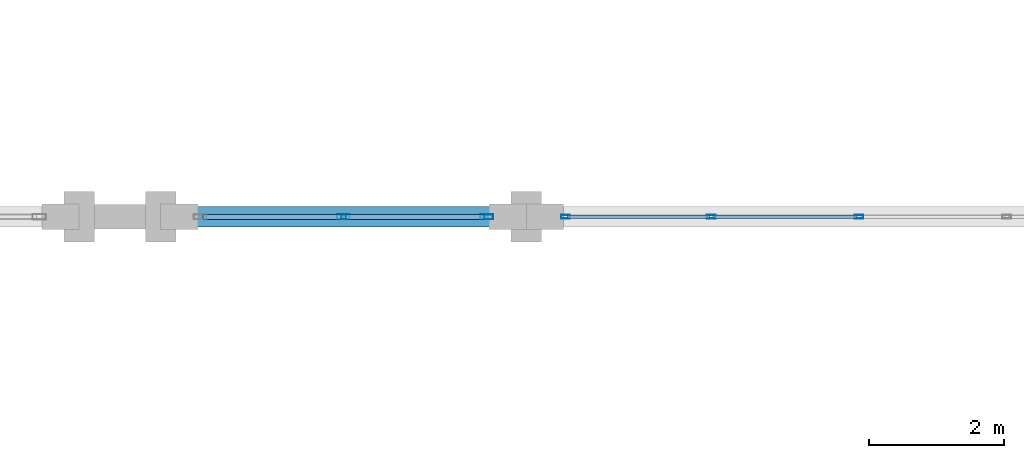
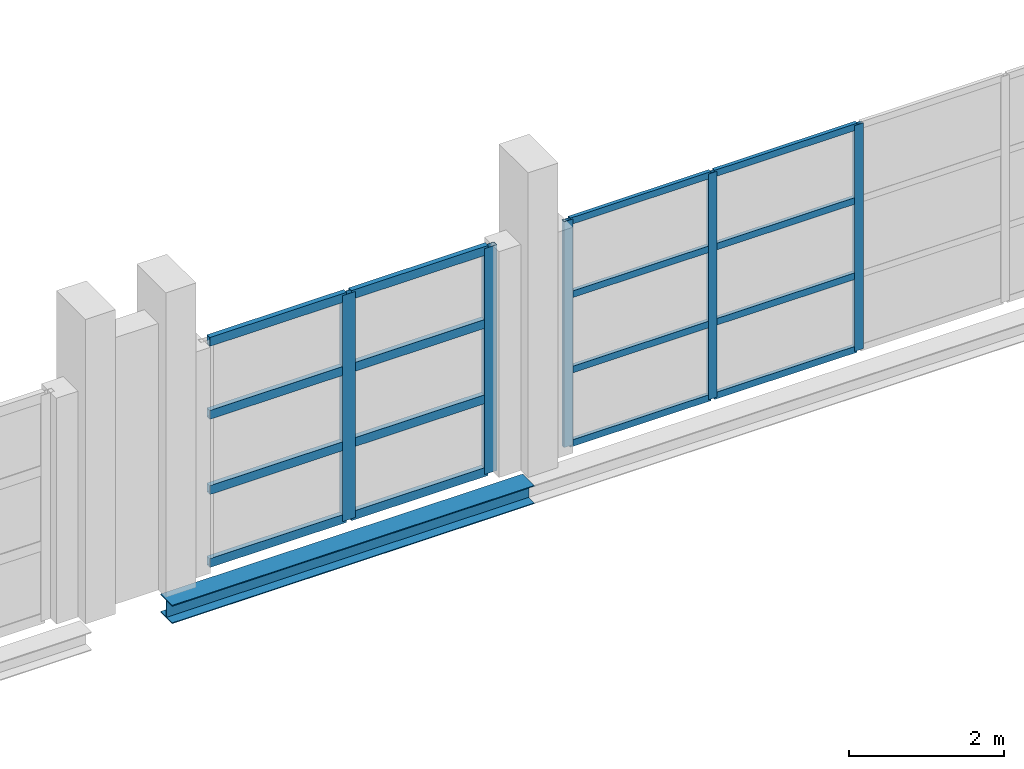
# One storey, part 76 of 147: 21 members, 1 beam, 2 elements without a shape of their own.
"""IFC4 building model written with IfcOpenShell, lengths in metres."""

import ifcopenshell
import ifcopenshell.guid

model = None  # the IFC model being written
_history = None  # IfcOwnerHistory: only IFC2X3 demands one
_inside = {}  # id of a spatial element -> (the spatial element, [elements in it])
_under = {}  # id of a project, library or spatial element -> (it, [spatial elements below it])
_declared = {}  # id of a project -> (the project, [libraries it declares])
_typed = {}  # id of a type object -> (the type object, [elements of that type])
_made_of = {}  # id of a material, layer set ... -> (it, [elements and type objects made of it])


def new_model(schema):
    """Start an empty IFC model of exactly this schema.

    Asked for "IFC4X3", IfcOpenShell would pick the latest addendum, in which some entities
    have other attributes; the version numbers below select the first issue.
    IFC2X3 requires an IfcOwnerHistory on every rooted entity: one is made here for all.
    """
    global model, _history
    if schema == "IFC4X3":
        model = ifcopenshell.file(schema_version=(4, 3, 0, 0))
    else:
        model = ifcopenshell.file(schema=schema)
    _inside.clear()
    _under.clear()
    _declared.clear()
    _typed.clear()
    _made_of.clear()
    _history = None
    if model.schema == "IFC2X3":
        org = make("IfcOrganization", Name="unknown")
        user = make(
            "IfcPersonAndOrganization",
            ThePerson=make("IfcPerson", FamilyName="unknown"),
            TheOrganization=org,
        )
        app = make(
            "IfcApplication",
            ApplicationDeveloper=org,
            Version="unknown",
            ApplicationFullName="unknown",
            ApplicationIdentifier="unknown",
        )
        _history = make(
            "IfcOwnerHistory",
            OwningUser=user,
            OwningApplication=app,
            ChangeAction="ADDED",
            CreationDate=0,
        )
    return model


def make(cls, **values):
    """One entity of the class cls with the attributes given. An attribute that is None is left unset."""
    return model.create_entity(
        cls, **{name: value for name, value in values.items() if value is not None}
    )


def rooted(cls, **values):
    """An entity with a GlobalId (a new one), such as an element, a storey or a relation."""
    return make(cls, GlobalId=ifcopenshell.guid.new(), OwnerHistory=_history, **values)


def si_unit(unit_type, name, prefix=None):
    """IfcSIUnit, for example si_unit("LENGTHUNIT", "METRE", prefix="MILLI")."""
    return make("IfcSIUnit", UnitType=unit_type, Prefix=prefix, Name=name)


def assignment(units):
    """IfcUnitAssignment: the units of a project."""
    return None if units is None else make("IfcUnitAssignment", Units=units)


def point(xyz):
    """IfcCartesianPoint."""
    return None if xyz is None else make("IfcCartesianPoint", Coordinates=xyz)


def direction(xyz):
    """IfcDirection."""
    return None if xyz is None else make("IfcDirection", DirectionRatios=xyz)


def frame(location, z_axis=None, x_axis=None):
    """IfcAxis2Placement3D, a coordinate frame: its origin and axes. An axis left out is left unset."""
    return make(
        "IfcAxis2Placement3D",
        Location=point(location),
        Axis=direction(z_axis),
        RefDirection=direction(x_axis),
    )


def frame_2d(location, x_axis=None):
    """IfcAxis2Placement2D, a coordinate frame in the plane: its origin and x axis."""
    return make(
        "IfcAxis2Placement2D", Location=point(location), RefDirection=direction(x_axis)
    )


def origin():
    """The frame at (0, 0, 0) with its axes left unset."""
    return frame((0.0, 0.0, 0.0))


def origin_2d():
    """The frame at (0, 0) in the plane with its x axis left unset."""
    return frame_2d((0.0, 0.0))


def place(relative_to, where):
    """IfcLocalPlacement: puts the frame where relative to a parent placement (None: the world)."""
    return make(
        "IfcLocalPlacement", PlacementRelTo=relative_to, RelativePlacement=where
    )


def context(
    kind, dimensions, precision=None, world=None, true_north=None, identifier=None
):
    """IfcGeometricRepresentationContext, for example the 3D "Model" context."""
    return make(
        "IfcGeometricRepresentationContext",
        ContextIdentifier=identifier,
        ContextType=kind,
        CoordinateSpaceDimension=dimensions,
        Precision=precision,
        WorldCoordinateSystem=world,
        TrueNorth=true_north,
    )


def subcontext(parent, identifier, kind, view, scale=None):
    """IfcGeometricRepresentationSubContext, for example "Body" below "Model"."""
    return make(
        "IfcGeometricRepresentationSubContext",
        ContextIdentifier=identifier,
        ContextType=kind,
        ParentContext=parent,
        TargetScale=scale,
        TargetView=view,
    )


def project(units=None, contexts=None):
    """IfcProject with its units and contexts."""
    return rooted(
        "IfcProject",
        Name="project",
        RepresentationContexts=contexts,
        UnitsInContext=assignment(units),
    )


def spatial(cls, under=None, at=None, **own):
    """A site, building, storey or space (cls), placed at a placement, below another one or the project."""
    s = rooted(cls, ObjectPlacement=at, **own)
    if under is not None:
        _under.setdefault(under.id(), (under, []))[1].append(s)
    return s


def profile(cls, at=None, kind="AREA", **sizes):
    """A parametric profile (cls). Its sizes go by their IFC names, for example OverallWidth=200.0."""
    return make(cls, ProfileType=kind, Position=at, **sizes)


def hollow_rectangle(**sizes):
    """IfcRectangleHollowProfileDef."""
    return profile("IfcRectangleHollowProfileDef", **sizes)


def i_section(**sizes):
    """IfcIShapeProfileDef."""
    return profile("IfcIShapeProfileDef", **sizes)


def extrude(swept, where, along, depth):
    """IfcExtrudedAreaSolid: the profile swept, set in the frame where, extruded along a direction by depth."""
    return make(
        "IfcExtrudedAreaSolid",
        SweptArea=swept,
        Position=where,
        ExtrudedDirection=direction(along),
        Depth=depth,
    )


def shape(context_of_items, identifier, shape_type, items):
    """IfcShapeRepresentation: the items that make up one representation, for example the "Body"."""
    return make(
        "IfcShapeRepresentation",
        ContextOfItems=context_of_items,
        RepresentationIdentifier=identifier,
        RepresentationType=shape_type,
        Items=items,
    )


def material(Name=None, Category=None):
    """IfcMaterial."""
    return make("IfcMaterial", Name=Name, Category=Category)


def layer(
    of_material, thickness, ventilated=None, Name=None, Category=None, Priority=None
):
    """IfcMaterialLayer: one layer of a wall or slab, of a material (None: an air gap)."""
    return make(
        "IfcMaterialLayer",
        Material=of_material,
        LayerThickness=thickness,
        IsVentilated=ventilated,
        Name=Name,
        Category=Category,
        Priority=Priority,
    )


def layer_set(layers, Name=None):
    """IfcMaterialLayerSet."""
    return make("IfcMaterialLayerSet", MaterialLayers=layers, LayerSetName=Name)


def material_profile(
    of_material, cross_section, Name=None, Category=None, Priority=None
):
    """IfcMaterialProfile: a cross section and its material."""
    return make(
        "IfcMaterialProfile",
        Name=Name,
        Material=of_material,
        Profile=cross_section,
        Priority=Priority,
        Category=Category,
    )


def profile_set(profiles, Name=None, composite=None):
    """IfcMaterialProfileSet."""
    return make(
        "IfcMaterialProfileSet",
        Name=Name,
        MaterialProfiles=profiles,
        CompositeProfile=composite,
    )


def made_of(thing, what):
    """Note that an element or type object is made of a material, layer set ...; save() writes the relation."""
    if what is not None:
        _made_of.setdefault(what.id(), (what, []))[1].append(thing)
    return thing


def type_object(cls, material=None, **own):
    """A type object (cls), such as IfcWallType, which elements share."""
    return made_of(rooted(cls, **own), material)


def element(
    cls,
    number,
    at=None,
    inside=None,
    cuts=None,
    type_object=None,
    material=None,
    context=None,
    identifier="Body",
    shape_type=None,
    held_by="IfcProductDefinitionShape",
    body=None,
    shapes=None,
    **own,
):
    """One element of the class cls, such as IfcWall. Its Tag is "e" and its number.

    at: its placement. inside: the storey or other place that contains it. cuts: it is an
    opening in that element (IfcRelVoidsElement). A single representation is given by context,
    identifier, shape_type and body (its items); several are given by shapes. held_by: the class
    of the entity that holds the representations. save() writes the other relations.
    """
    e = rooted(cls, Tag="e%d" % number, ObjectPlacement=at, **own)
    if body is not None:
        shapes = [shape(context, identifier, shape_type, body)]
    if shapes is not None:
        e.Representation = make(held_by, Representations=shapes)
    if inside is not None:
        _inside.setdefault(inside.id(), (inside, []))[1].append(e)
    if cuts is not None:
        rooted(
            "IfcRelVoidsElement", RelatingBuildingElement=cuts, RelatedOpeningElement=e
        )
    if type_object is not None:
        _typed.setdefault(type_object.id(), (type_object, []))[1].append(e)
    return made_of(e, material)


def aggregate(whole, parts):
    """IfcRelAggregates: a whole, such as a stair, and the parts it consists of."""
    return rooted("IfcRelAggregates", RelatingObject=whole, RelatedObjects=parts)


def save(model, path):
    """Write the relations noted so far, then the file.

    IfcRelAggregates (storeys below a building ...), IfcRelContainedInSpatialStructure (elements
    in a storey), IfcRelDefinesByType, IfcRelAssociatesMaterial and IfcRelDeclares: one each for
    every whole, place, type object, material and project.
    """
    for whole, parts in _under.values():
        aggregate(whole, parts)
    for where, things in _inside.values():
        rooted(
            "IfcRelContainedInSpatialStructure",
            RelatedElements=things,
            RelatingStructure=where,
        )
    for kind, things in _typed.values():
        rooted("IfcRelDefinesByType", RelatedObjects=things, RelatingType=kind)
    for what, things in _made_of.values():
        rooted("IfcRelAssociatesMaterial", RelatedObjects=things, RelatingMaterial=what)
    for by, libraries in _declared.values():
        rooted("IfcRelDeclares", RelatingContext=by, RelatedDefinitions=libraries)
    model.write(path)


model = new_model("IFC4")

# Units and contexts
model_context = context("Model", 3, precision=1e-05, world=origin(), true_north=direction((0.0, 1.0)))
body_context = subcontext(model_context, "Body", "Model", "MODEL_VIEW")
ifc_project = project(units=[si_unit("LENGTHUNIT", "METRE"), si_unit("AREAUNIT", "SQUARE_METRE"), si_unit("VOLUMEUNIT", "CUBIC_METRE"), si_unit("PLANEANGLEUNIT", "RADIAN"), si_unit("MASSUNIT", "GRAM", prefix="KILO")], contexts=[model_context])

# Site, building, storey
site_placement = place(None, origin())
site = spatial("IfcSite", under=ifc_project, at=site_placement, CompositionType="ELEMENT")
building_placement = place(site_placement, origin())
building = spatial("IfcBuilding", under=site, at=building_placement, Name="Zilviju Railside Exhibition Hall", CompositionType="ELEMENT")
storey_placement = place(building_placement, frame((0.0, 0.0, 8.39990234375)))
storey = spatial("IfcBuildingStorey", under=building, at=storey_placement, Name="L03", CompositionType="ELEMENT", Elevation=8.39990234375)

# Beam
ifc_material_1 = material(Name="Steel S355J2", Category="steel")
ifc_material_profile_1 = material_profile(ifc_material_1, i_section(OverallWidth=0.300048828125, OverallDepth=0.2900390625, WebThickness=0.008544921875, FlangeThickness=0.013916015625, at=origin_2d()), Name="HEA 300")
ifc_profile_set_1 = profile_set([ifc_material_profile_1], Name="Steel S355J2")
beam_type = type_object("IfcBeamType", Name="BM-HEA300", PredefinedType="SPANDREL", material=ifc_profile_set_1)
beam_placement = place(storey_placement, frame((126.60009765625, 54.0, -0.48486328125), z_axis=(1.0, 0.0, 0.0), x_axis=(0.0, 1.0, 0.0)))
element("IfcBeam", 1, at=beam_placement, inside=storey, type_object=beam_type, Name="Primary Girder L03 Y=54.0 (126.6..132.0)", PredefinedType="SPANDREL", context=body_context, shape_type="SweptSolid", body=[
    extrude(i_section(OverallWidth=0.300048828125, OverallDepth=0.2900390625, WebThickness=0.008544921875, FlangeThickness=0.013916015625, at=origin_2d()), origin(), (0.0, 0.0, 1.0), 5.39990234375),
])

# Curtain wall, members
ifc_material_2 = material(Name="Thermally broken aluminium-steel triple-glazed curtain wall", Category="steel")
ifc_layer_1 = layer(ifc_material_2, 0.179931640625)
ifc_layer_set_1 = layer_set([ifc_layer_1], Name="Thermally broken aluminium-steel triple-glazed curtain wall")
curtain_wall_type_1 = type_object("IfcCurtainWallType", Name="CW-BAY-08", PredefinedType="USERDEFINED", material=ifc_layer_set_1)
curtain_wall_1_placement = place(storey_placement, origin())
curtain_wall_1 = element("IfcCurtainWall", 2, at=curtain_wall_1_placement, inside=storey, type_object=curtain_wall_type_1, Name="South Hall Garden Court Curtain Wall L03 (132..144)", ObjectType="GLAZED CURTAIN WALL", PredefinedType="USERDEFINED")
ifc_material_3 = material(Name="Thermally broken anodized aluminium mullion", Category="aluminium")
ifc_material_profile_2 = material_profile(ifc_material_3, hollow_rectangle(XDim=0.054931640625, YDim=0.1298828125, WallThickness=0.0048828125, at=origin_2d()), Name="MULLION 130x55x5")
ifc_profile_set_2 = profile_set([ifc_material_profile_2], Name="Thermally broken anodized aluminium mullion")
member_type_1 = type_object("IfcMemberType", Name="CWM-55x130", PredefinedType="MULLION", material=ifc_profile_set_2)
member_1_placement = place(storey_placement, frame((132.577392578125, 54.0, 0.0), z_axis=(0.0, 0.0, 1.0), x_axis=(0.0, 1.0, 0.0)))
member_1 = element("IfcMember", 3, at=member_1_placement, type_object=member_type_1, Name="CW-08 mullion 1", PredefinedType="MULLION", context=body_context, shape_type="SweptSolid", body=[
    extrude(hollow_rectangle(XDim=0.054931640625, YDim=0.1298828125, WallThickness=0.0048828125, at=origin_2d()), origin(), (0.0, 0.0, 1.0), 3.56005859375),
])
member_2_placement = place(storey_placement, frame((134.72998046875, 54.0, 0.0), z_axis=(0.0, 0.0, 1.0), x_axis=(0.0, 1.0, 0.0)))
member_2 = element("IfcMember", 4, at=member_2_placement, type_object=member_type_1, Name="CW-08 mullion 2", PredefinedType="MULLION", context=body_context, shape_type="SweptSolid", body=[
    extrude(hollow_rectangle(XDim=0.054931640625, YDim=0.1298828125, WallThickness=0.0048828125, at=origin_2d()), origin(), (0.0, 0.0, 1.0), 3.56005859375),
])
member_3_placement = place(storey_placement, frame((136.909912109375, 54.0, 0.0), z_axis=(0.0, 0.0, 1.0), x_axis=(0.0, 1.0, 0.0)))
member_3 = element("IfcMember", 5, at=member_3_placement, type_object=member_type_1, Name="CW-08 mullion 3", PredefinedType="MULLION", context=body_context, shape_type="SweptSolid", body=[
    extrude(hollow_rectangle(XDim=0.054931640625, YDim=0.1298828125, WallThickness=0.0048828125, at=origin_2d()), origin(), (0.0, 0.0, 1.0), 3.56005859375),
])

ifc_layer_2 = layer(ifc_material_2, 0.179931640625)
ifc_layer_set_2 = layer_set([ifc_layer_2], Name="Thermally broken aluminium-steel triple-glazed curtain wall")
curtain_wall_type_2 = type_object("IfcCurtainWallType", Name="CW-BAY-07", PredefinedType="USERDEFINED", material=ifc_layer_set_2)
curtain_wall_2_placement = place(storey_placement, origin())
curtain_wall_2 = element("IfcCurtainWall", 6, at=curtain_wall_2_placement, inside=storey, type_object=curtain_wall_type_2, Name="South Hall Garden Court Curtain Wall L03 (127..132)", ObjectType="GLAZED CURTAIN WALL", PredefinedType="USERDEFINED")
ifc_material_profile_3 = material_profile(ifc_material_3, hollow_rectangle(XDim=0.074951171875, YDim=0.18994140625, WallThickness=0.0048828125, at=origin_2d()), Name="MULLION 190x75x5")
ifc_profile_set_3 = profile_set([ifc_material_profile_3], Name="Thermally broken anodized aluminium mullion")
member_type_2 = type_object("IfcMemberType", Name="CWM-75x190", PredefinedType="MULLION", material=ifc_profile_set_3)
member_4_placement = place(storey_placement, frame((129.300048828125, 54.0, 0.0), z_axis=(0.0, 0.0, 1.0), x_axis=(0.0, 1.0, 0.0)))
member_4 = element("IfcMember", 7, at=member_4_placement, type_object=member_type_2, Name="CW-07 mullion 2", PredefinedType="MULLION", context=body_context, shape_type="SweptSolid", body=[
    extrude(hollow_rectangle(XDim=0.074951171875, YDim=0.18994140625, WallThickness=0.0048828125, at=origin_2d()), origin(), (0.0, 0.0, 1.0), 3.56005859375),
])
member_5_placement = place(storey_placement, frame((131.41259765625, 54.0, 0.0), z_axis=(0.0, 0.0, 1.0), x_axis=(0.0, 1.0, 0.0)))
member_5 = element("IfcMember", 8, at=member_5_placement, type_object=member_type_2, Name="CW-07 mullion 3", PredefinedType="MULLION", context=body_context, shape_type="SweptSolid", body=[
    extrude(hollow_rectangle(XDim=0.074951171875, YDim=0.18994140625, WallThickness=0.0048828125, at=origin_2d()), origin(), (0.0, 0.0, 1.0), 3.56005859375),
])

# Member
ifc_material_4 = material(Name="Thermally broken anodized aluminium transom", Category="aluminium")
ifc_material_profile_4 = material_profile(ifc_material_4, hollow_rectangle(XDim=0.054931640625, YDim=0.10498046875, WallThickness=0.0048828125, at=origin_2d()), Name="TRANSOM 105x55x5")
ifc_profile_set_4 = profile_set([ifc_material_profile_4], Name="Thermally broken anodized aluminium transom")
member_type_3 = type_object("IfcMemberType", Name="CWT-55x105", PredefinedType="USERDEFINED", material=ifc_profile_set_4)
member_6_placement = place(storey_placement, frame((132.60498046875, 54.0, 0.027587890625), z_axis=(1.0, 0.0, 0.0), x_axis=(0.0, 1.0, 0.0)))
member_6 = element("IfcMember", 9, at=member_6_placement, type_object=member_type_3, Name="CW-08 transom 1.1", ObjectType="TRANSOM", PredefinedType="USERDEFINED", context=body_context, shape_type="SweptSolid", body=[
    extrude(hollow_rectangle(XDim=0.054931640625, YDim=0.10498046875, WallThickness=0.0048828125, at=origin_2d()), origin(), (0.0, 0.0, 1.0), 2.097412109375),
])

member_7_placement = place(storey_placement, frame((132.60498046875, 54.0, 1.18701171875), z_axis=(1.0, 0.0, 0.0), x_axis=(0.0, 1.0, 0.0)))
member_7 = element("IfcMember", 10, at=member_7_placement, type_object=member_type_3, Name="CW-08 transom 1.2", ObjectType="TRANSOM", PredefinedType="USERDEFINED", context=body_context, shape_type="SweptSolid", body=[
    extrude(hollow_rectangle(XDim=0.054931640625, YDim=0.10498046875, WallThickness=0.0048828125, at=origin_2d()), origin(), (0.0, 0.0, 1.0), 2.097412109375),
])

member_8_placement = place(storey_placement, frame((132.60498046875, 54.0, 2.373046875), z_axis=(1.0, 0.0, 0.0), x_axis=(0.0, 1.0, 0.0)))
member_8 = element("IfcMember", 11, at=member_8_placement, type_object=member_type_3, Name="CW-08 transom 1.3", ObjectType="TRANSOM", PredefinedType="USERDEFINED", context=body_context, shape_type="SweptSolid", body=[
    extrude(hollow_rectangle(XDim=0.054931640625, YDim=0.10498046875, WallThickness=0.0048828125, at=origin_2d()), origin(), (0.0, 0.0, 1.0), 2.097412109375),
])

member_9_placement = place(storey_placement, frame((132.60498046875, 54.0, 3.53271484375), z_axis=(1.0, 0.0, 0.0), x_axis=(0.0, 1.0, 0.0)))
member_9 = element("IfcMember", 12, at=member_9_placement, type_object=member_type_3, Name="CW-08 transom 1.4", ObjectType="TRANSOM", PredefinedType="USERDEFINED", context=body_context, shape_type="SweptSolid", body=[
    extrude(hollow_rectangle(XDim=0.054931640625, YDim=0.10498046875, WallThickness=0.0048828125, at=origin_2d()), origin(), (0.0, 0.0, 1.0), 2.097412109375),
])

member_10_placement = place(storey_placement, frame((134.757568359375, 54.0, 0.027587890625), z_axis=(1.0, 0.0, 0.0), x_axis=(0.0, 1.0, 0.0)))
member_10 = element("IfcMember", 13, at=member_10_placement, type_object=member_type_3, Name="CW-08 transom 2.1", ObjectType="TRANSOM", PredefinedType="USERDEFINED", context=body_context, shape_type="SweptSolid", body=[
    extrude(hollow_rectangle(XDim=0.054931640625, YDim=0.10498046875, WallThickness=0.0048828125, at=origin_2d()), origin(), (0.0, 0.0, 1.0), 2.125),
])

member_11_placement = place(storey_placement, frame((134.757568359375, 54.0, 1.18701171875), z_axis=(1.0, 0.0, 0.0), x_axis=(0.0, 1.0, 0.0)))
member_11 = element("IfcMember", 14, at=member_11_placement, type_object=member_type_3, Name="CW-08 transom 2.2", ObjectType="TRANSOM", PredefinedType="USERDEFINED", context=body_context, shape_type="SweptSolid", body=[
    extrude(hollow_rectangle(XDim=0.054931640625, YDim=0.10498046875, WallThickness=0.0048828125, at=origin_2d()), origin(), (0.0, 0.0, 1.0), 2.125),
])

member_12_placement = place(storey_placement, frame((134.757568359375, 54.0, 2.373046875), z_axis=(1.0, 0.0, 0.0), x_axis=(0.0, 1.0, 0.0)))
member_12 = element("IfcMember", 15, at=member_12_placement, type_object=member_type_3, Name="CW-08 transom 2.3", ObjectType="TRANSOM", PredefinedType="USERDEFINED", context=body_context, shape_type="SweptSolid", body=[
    extrude(hollow_rectangle(XDim=0.054931640625, YDim=0.10498046875, WallThickness=0.0048828125, at=origin_2d()), origin(), (0.0, 0.0, 1.0), 2.125),
])

member_13_placement = place(storey_placement, frame((134.757568359375, 54.0, 3.53271484375), z_axis=(1.0, 0.0, 0.0), x_axis=(0.0, 1.0, 0.0)))
member_13 = element("IfcMember", 16, at=member_13_placement, type_object=member_type_3, Name="CW-08 transom 2.4", ObjectType="TRANSOM", PredefinedType="USERDEFINED", context=body_context, shape_type="SweptSolid", body=[
    extrude(hollow_rectangle(XDim=0.054931640625, YDim=0.10498046875, WallThickness=0.0048828125, at=origin_2d()), origin(), (0.0, 0.0, 1.0), 2.125),
])

aggregate(curtain_wall_1, [member_1, member_2, member_3, member_6, member_7, member_8, member_9, member_10, member_11, member_12, member_13])

ifc_material_profile_5 = material_profile(ifc_material_4, hollow_rectangle(XDim=0.074951171875, YDim=0.139892578125, WallThickness=0.0048828125, at=origin_2d()), Name="TRANSOM 140x75x5")
ifc_profile_set_5 = profile_set([ifc_material_profile_5], Name="Thermally broken anodized aluminium transom")
member_type_4 = type_object("IfcMemberType", Name="CWT-75x140", PredefinedType="USERDEFINED", material=ifc_profile_set_5)
member_14_placement = place(storey_placement, frame((127.22509765625, 54.0, 0.03759765625), z_axis=(1.0, 0.0, 0.0), x_axis=(0.0, 1.0, 0.0)))
member_14 = element("IfcMember", 17, at=member_14_placement, type_object=member_type_4, Name="CW-07 transom 1.1", ObjectType="TRANSOM", PredefinedType="USERDEFINED", context=body_context, shape_type="SweptSolid", body=[
    extrude(hollow_rectangle(XDim=0.074951171875, YDim=0.139892578125, WallThickness=0.0048828125, at=origin_2d()), origin(), (0.0, 0.0, 1.0), 2.037353515625),
])

member_15_placement = place(storey_placement, frame((127.22509765625, 54.0, 1.18701171875), z_axis=(1.0, 0.0, 0.0), x_axis=(0.0, 1.0, 0.0)))
member_15 = element("IfcMember", 18, at=member_15_placement, type_object=member_type_4, Name="CW-07 transom 1.2", ObjectType="TRANSOM", PredefinedType="USERDEFINED", context=body_context, shape_type="SweptSolid", body=[
    extrude(hollow_rectangle(XDim=0.074951171875, YDim=0.139892578125, WallThickness=0.0048828125, at=origin_2d()), origin(), (0.0, 0.0, 1.0), 2.037353515625),
])

member_16_placement = place(storey_placement, frame((127.22509765625, 54.0, 2.373046875), z_axis=(1.0, 0.0, 0.0), x_axis=(0.0, 1.0, 0.0)))
member_16 = element("IfcMember", 19, at=member_16_placement, type_object=member_type_4, Name="CW-07 transom 1.3", ObjectType="TRANSOM", PredefinedType="USERDEFINED", context=body_context, shape_type="SweptSolid", body=[
    extrude(hollow_rectangle(XDim=0.074951171875, YDim=0.139892578125, WallThickness=0.0048828125, at=origin_2d()), origin(), (0.0, 0.0, 1.0), 2.037353515625),
])

member_17_placement = place(storey_placement, frame((127.22509765625, 54.0, 3.522705078125), z_axis=(1.0, 0.0, 0.0), x_axis=(0.0, 1.0, 0.0)))
member_17 = element("IfcMember", 20, at=member_17_placement, type_object=member_type_4, Name="CW-07 transom 1.4", ObjectType="TRANSOM", PredefinedType="USERDEFINED", context=body_context, shape_type="SweptSolid", body=[
    extrude(hollow_rectangle(XDim=0.074951171875, YDim=0.139892578125, WallThickness=0.0048828125, at=origin_2d()), origin(), (0.0, 0.0, 1.0), 2.037353515625),
])

member_18_placement = place(storey_placement, frame((129.33740234375, 54.0, 0.03759765625), z_axis=(1.0, 0.0, 0.0), x_axis=(0.0, 1.0, 0.0)))
member_18 = element("IfcMember", 21, at=member_18_placement, type_object=member_type_4, Name="CW-07 transom 2.1", ObjectType="TRANSOM", PredefinedType="USERDEFINED", context=body_context, shape_type="SweptSolid", body=[
    extrude(hollow_rectangle(XDim=0.074951171875, YDim=0.139892578125, WallThickness=0.0048828125, at=origin_2d()), origin(), (0.0, 0.0, 1.0), 2.03759765625),
])

member_19_placement = place(storey_placement, frame((129.33740234375, 54.0, 1.18701171875), z_axis=(1.0, 0.0, 0.0), x_axis=(0.0, 1.0, 0.0)))
member_19 = element("IfcMember", 22, at=member_19_placement, type_object=member_type_4, Name="CW-07 transom 2.2", ObjectType="TRANSOM", PredefinedType="USERDEFINED", context=body_context, shape_type="SweptSolid", body=[
    extrude(hollow_rectangle(XDim=0.074951171875, YDim=0.139892578125, WallThickness=0.0048828125, at=origin_2d()), origin(), (0.0, 0.0, 1.0), 2.03759765625),
])

member_20_placement = place(storey_placement, frame((129.33740234375, 54.0, 2.373046875), z_axis=(1.0, 0.0, 0.0), x_axis=(0.0, 1.0, 0.0)))
member_20 = element("IfcMember", 23, at=member_20_placement, type_object=member_type_4, Name="CW-07 transom 2.3", ObjectType="TRANSOM", PredefinedType="USERDEFINED", context=body_context, shape_type="SweptSolid", body=[
    extrude(hollow_rectangle(XDim=0.074951171875, YDim=0.139892578125, WallThickness=0.0048828125, at=origin_2d()), origin(), (0.0, 0.0, 1.0), 2.03759765625),
])

member_21_placement = place(storey_placement, frame((129.33740234375, 54.0, 3.522705078125), z_axis=(1.0, 0.0, 0.0), x_axis=(0.0, 1.0, 0.0)))
member_21 = element("IfcMember", 24, at=member_21_placement, type_object=member_type_4, Name="CW-07 transom 2.4", ObjectType="TRANSOM", PredefinedType="USERDEFINED", context=body_context, shape_type="SweptSolid", body=[
    extrude(hollow_rectangle(XDim=0.074951171875, YDim=0.139892578125, WallThickness=0.0048828125, at=origin_2d()), origin(), (0.0, 0.0, 1.0), 2.03759765625),
])

aggregate(curtain_wall_2, [member_4, member_5, member_14, member_15, member_16, member_17, member_18, member_19, member_20, member_21])

save(model, "model.ifc")
